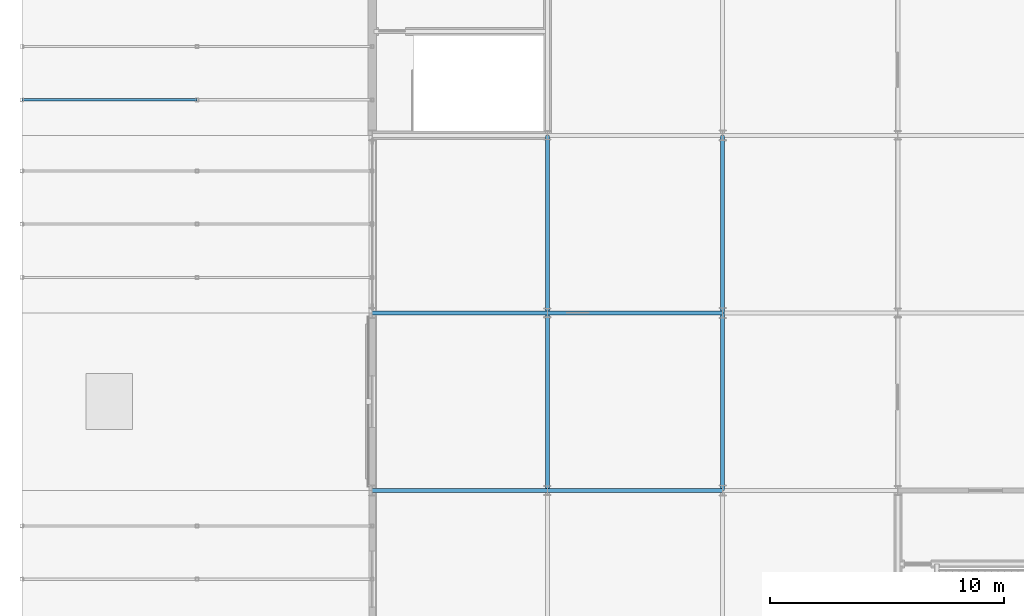
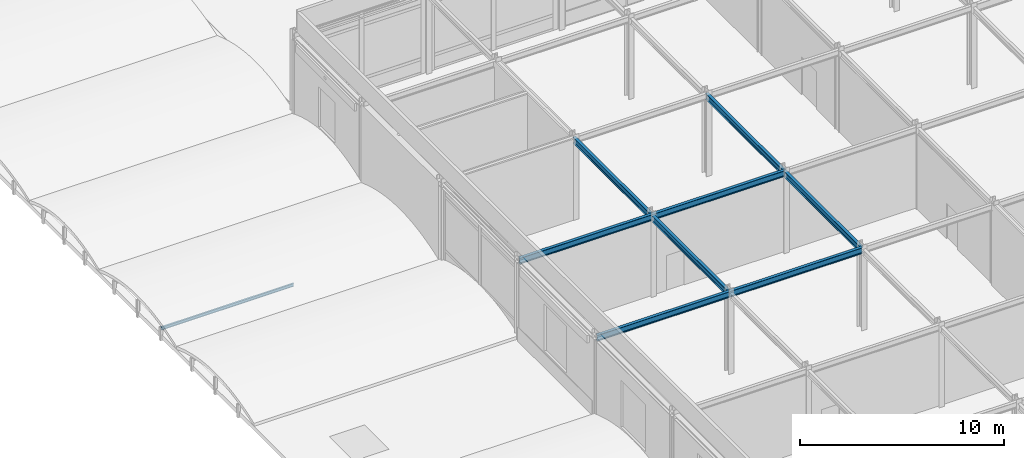
# One storey, part 38 of 113: 8 beams, 1 member.
"""IFC4 building model written with IfcOpenShell, lengths in metres."""

from ifc_helpers import new_model, si_unit, direction, frame, origin, origin_2d, place, context, subcontext, project, spatial, i_section, extrude, material, material_profile, profile_set, type_object, element, save


model = new_model("IFC4")

# Units and contexts
model_context = context("Model", 3, precision=1e-05, world=origin(), true_north=direction((0.0, 1.0)))
body_context = subcontext(model_context, "Body", "Model", "MODEL_VIEW")
ifc_project = project(units=[si_unit("LENGTHUNIT", "METRE"), si_unit("AREAUNIT", "SQUARE_METRE"), si_unit("VOLUMEUNIT", "CUBIC_METRE"), si_unit("PLANEANGLEUNIT", "RADIAN"), si_unit("MASSUNIT", "GRAM", prefix="KILO")], contexts=[model_context])

# Site, building, storey
site_placement = place(None, origin())
site = spatial("IfcSite", under=ifc_project, at=site_placement, CompositionType="ELEMENT")
building_placement = place(site_placement, origin())
building = spatial("IfcBuilding", under=site, at=building_placement, Name="Shalkamar Park Central Library", CompositionType="ELEMENT")
storey_placement = place(building_placement, frame((0.0, 0.0, 5.39990234375)))
storey = spatial("IfcBuildingStorey", under=building, at=storey_placement, Name="L02", CompositionType="ELEMENT", Elevation=5.39990234375)

# Beams
ifc_material = material(Name="Steel S355", Category="steel")
ifc_material_profile_1 = material_profile(ifc_material, i_section(OverallWidth=0.169921875, OverallDepth=0.360107421875, WebThickness=0.008056640625, FlangeThickness=0.0126953125, FilletRadius=0.01806640625, at=origin_2d()), Name="IPE 360")
ifc_profile_set_1 = profile_set([ifc_material_profile_1], Name="Steel S355")
beam_type = type_object("IfcBeamType", Name="Primary Girder IPE360", PredefinedType="BEAM", material=ifc_profile_set_1)
for number, where, z_axis, x_axis, name in (
    (1, (135.0, 308.39990234375, 4.670166015625), (1.0, 0.0, 0.0), (0.0, 1.0, 0.0), "Beam K:03-04 (L02)"),
    (2, (142.5, 308.39990234375, 4.670166015625), (1.0, 0.0, 0.0), (0.0, 1.0, 0.0), "Beam K:04-05 (L02)"),
    (3, (135.0, 316.0, 4.670166015625), (1.0, 0.0, 0.0), (0.0, 1.0, 0.0), "Beam L:03-04 (L02)"),
    (4, (142.5, 316.0, 4.670166015625), (1.0, 0.0, 0.0), (0.0, 1.0, 0.0), "Beam L:04-05 (L02)"),
):
    element("IfcBeam", number, at=place(storey_placement, frame(where, z_axis=z_axis, x_axis=x_axis)), inside=storey, type_object=beam_type, Name=name, PredefinedType="BEAM", context=body_context, shape_type="SweptSolid", body=[
        extrude(i_section(OverallWidth=0.169921875, OverallDepth=0.360107421875, WebThickness=0.008056640625, FlangeThickness=0.0126953125, FilletRadius=0.01806640625, at=origin_2d()), origin(), (0.0, 0.0, 1.0), 7.5),
    ])
for number, where, z_axis, x_axis, name in (
    (5, (142.5, 308.39990234375, 4.670166015625), (0.0, 1.0, 0.0), (-1.0, 0.0, 0.0), "Beam 04:K-L (L02)"),
    (6, (142.5, 316.0, 4.670166015625), (0.0, 1.0, 0.0), (-1.0, 0.0, 0.0), "Beam 04:L-M (L02)"),
    (7, (150.0, 308.39990234375, 4.670166015625), (0.0, 1.0, 0.0), (-1.0, 0.0, 0.0), "Beam 05:K-L (L02)"),
    (8, (150.0, 316.0, 4.670166015625), (0.0, 1.0, 0.0), (-1.0, 0.0, 0.0), "Beam 05:L-M (L02)"),
):
    element("IfcBeam", number, at=place(storey_placement, frame(where, z_axis=z_axis, x_axis=x_axis)), inside=storey, type_object=beam_type, Name=name, PredefinedType="BEAM", context=body_context, shape_type="SweptSolid", body=[
        extrude(i_section(OverallWidth=0.169921875, OverallDepth=0.360107421875, WebThickness=0.008056640625, FlangeThickness=0.0126953125, FilletRadius=0.01806640625, at=origin_2d()), origin(), (0.0, 0.0, 1.0), 7.60009765625),
    ])

# Member
ifc_material_profile_2 = material_profile(ifc_material, i_section(OverallWidth=0.091064453125, OverallDepth=0.179931640625, WebThickness=0.00537109375, FlangeThickness=0.008056640625, FilletRadius=0.009033203125, at=origin_2d()), Name="IPE 180")
ifc_profile_set_2 = profile_set([ifc_material_profile_2], Name="Steel S355")
member_type = type_object("IfcMemberType", Name="Roof Purlin IPE180", PredefinedType="PURLIN", material=ifc_profile_set_2)
member_placement = place(storey_placement, frame((120.0, 325.1201171875, 0.330810546875), z_axis=(1.0, 0.0, 0.0), x_axis=(0.0, 1.0, 0.0)))
element("IfcMember", 9, at=member_placement, inside=storey, type_object=member_type, Name="Barrel Roof Purlin BV-L01-W9-1.01", PredefinedType="PURLIN", context=body_context, shape_type="SweptSolid", body=[
    extrude(i_section(OverallWidth=0.091064453125, OverallDepth=0.179931640625, WebThickness=0.00537109375, FlangeThickness=0.008056640625, FilletRadius=0.009033203125, at=origin_2d()), origin(), (0.0, 0.0, 1.0), 7.5),
])

save(model, "model.ifc")
